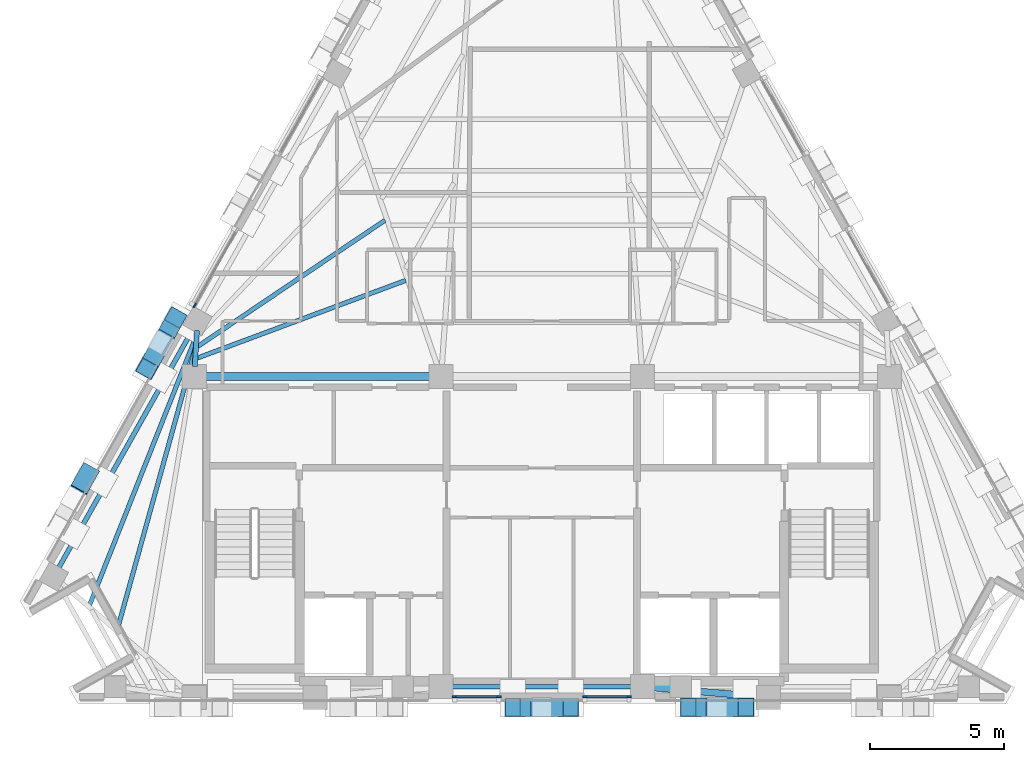
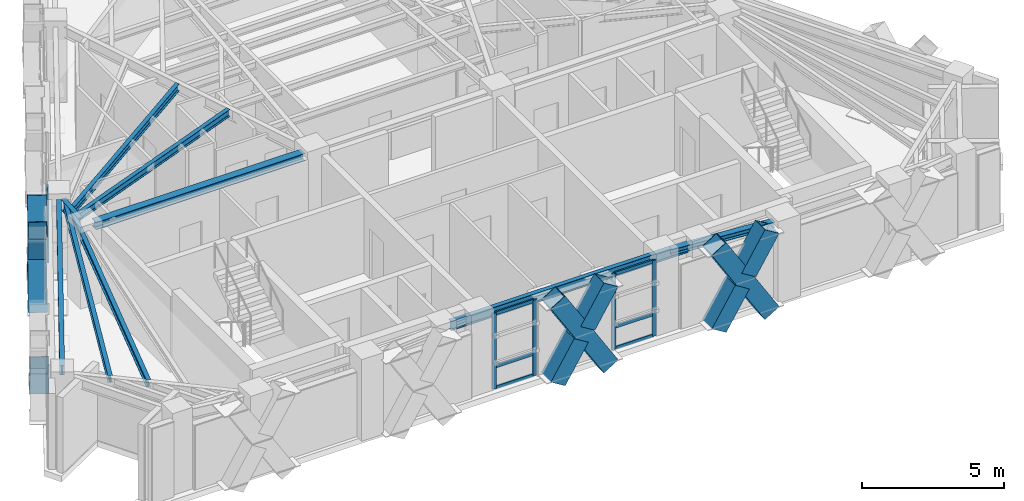
# One storey, part 2 of 11: 21 members, 9 beams, 3 elements without a shape of their own.
"""IFC4 building model written with IfcOpenShell, lengths in metres."""

from ifc_helpers import new_model, si_unit, direction, frame, origin, origin_2d, place, context, subcontext, project, spatial, rectangle, hollow_rectangle, i_section, extrude, material, material_profile, profile_set, type_object, element, aggregate, save


model = new_model("IFC4")

# Units and contexts
model_context = context("Model", 3, precision=1e-05, world=origin(), true_north=direction((0.0, 1.0)))
body_context = subcontext(model_context, "Body", "Model", "MODEL_VIEW")
ifc_project = project(units=[si_unit("LENGTHUNIT", "METRE"), si_unit("AREAUNIT", "SQUARE_METRE"), si_unit("VOLUMEUNIT", "CUBIC_METRE"), si_unit("PLANEANGLEUNIT", "RADIAN"), si_unit("MASSUNIT", "GRAM", prefix="KILO")], contexts=[model_context])

# Site, building, storey
site_placement = place(None, origin())
site = spatial("IfcSite", under=ifc_project, at=site_placement, CompositionType="ELEMENT")
building_placement = place(site_placement, origin())
building = spatial("IfcBuilding", under=site, at=building_placement, Name="Quenlor Broadcast Tower", CompositionType="ELEMENT")
storey_placement = place(building_placement, frame((0.0, 0.0, 242.89990234375)))
storey = spatial("IfcBuildingStorey", under=building, at=storey_placement, Name="L67", CompositionType="ELEMENT", Elevation=242.89990234375)

# Curtain wall, members
ifc_material_1 = material(Name="Architectural Terracotta and Low-E Glazing", Category="masonry")
curtain_wall_type = type_object("IfcCurtainWallType", Name="Unitised Terracotta Curtain Wall System Z5", PredefinedType="NOTDEFINED", material=ifc_material_1)
curtain_wall_1_placement = place(storey_placement, origin())
curtain_wall_1 = element("IfcCurtainWall", 1, at=curtain_wall_1_placement, inside=storey, type_object=curtain_wall_type, Name="L67 Curtain Wall CW5 (L67-S-G1)", PredefinedType="NOTDEFINED")
ifc_material_2 = material(Name="Aluminium 6063-T6", Category="aluminium")
ifc_material_profile_1 = material_profile(ifc_material_2, rectangle(XDim=0.06494140625, YDim=0.169921875, at=origin_2d()))
ifc_profile_set_1 = profile_set([ifc_material_profile_1], Name="Aluminium 6063-T6 MULL65x170")
member_type_1 = type_object("IfcMemberType", Name="CW5 Aluminium Mullion MULL_CW5", PredefinedType="MULLION", material=ifc_profile_set_1)
member_1_placement = place(storey_placement, frame((3.24755859375, -16.72509765625, 0.0), z_axis=(0.0, 0.0, 1.0), x_axis=(0.0, -1.0, 0.0)))
member_1 = element("IfcMember", 2, at=member_1_placement, type_object=member_type_1, Name="CW5 mullion 1", PredefinedType="MULLION", context=body_context, shape_type="SweptSolid", body=[
    extrude(rectangle(XDim=0.06494140625, YDim=0.169921875, at=origin_2d()), origin(), (0.0, 0.0, 1.0), 3.25),
])
member_2_placement = place(storey_placement, frame((1.60400390625, -16.72509765625, 0.0), z_axis=(0.0, 0.0, 1.0), x_axis=(0.0, -1.0, 0.0)))
member_2 = element("IfcMember", 3, at=member_2_placement, type_object=member_type_1, Name="CW5 mullion 2", PredefinedType="MULLION", context=body_context, shape_type="SweptSolid", body=[
    extrude(rectangle(XDim=0.06494140625, YDim=0.169921875, at=origin_2d()), origin(), (0.0, 0.0, 1.0), 3.25),
])

curtain_wall_2_placement = place(storey_placement, origin())
curtain_wall_2 = element("IfcCurtainWall", 4, at=curtain_wall_2_placement, inside=storey, type_object=curtain_wall_type, Name="L67 Curtain Wall CW5 (L67-S-G2)", PredefinedType="NOTDEFINED")
member_3_placement = place(storey_placement, frame((-1.60400390625, -16.72509765625, 0.0), z_axis=(0.0, 0.0, 1.0), x_axis=(0.0, -1.0, 0.0)))
member_3 = element("IfcMember", 5, at=member_3_placement, type_object=member_type_1, Name="CW5 mullion 1", PredefinedType="MULLION", context=body_context, shape_type="SweptSolid", body=[
    extrude(rectangle(XDim=0.06494140625, YDim=0.169921875, at=origin_2d()), origin(), (0.0, 0.0, 1.0), 3.25),
])
member_4_placement = place(storey_placement, frame((-3.24755859375, -16.72509765625, 0.0), z_axis=(0.0, 0.0, 1.0), x_axis=(0.0, -1.0, 0.0)))
member_4 = element("IfcMember", 6, at=member_4_placement, type_object=member_type_1, Name="CW5 mullion 2", PredefinedType="MULLION", context=body_context, shape_type="SweptSolid", body=[
    extrude(rectangle(XDim=0.06494140625, YDim=0.169921875, at=origin_2d()), origin(), (0.0, 0.0, 1.0), 3.25),
])

# Curtain wall, member
curtain_wall_3_placement = place(storey_placement, origin())
curtain_wall_3 = element("IfcCurtainWall", 7, at=curtain_wall_3_placement, inside=storey, type_object=curtain_wall_type, Name="L67 Curtain Wall CW5 (L67-NW-G1)", PredefinedType="NOTDEFINED")
member_5_placement = place(storey_placement, frame((-12.930419921875, -2.1484375, 0.0), z_axis=(0.0, 0.0, 1.0), x_axis=(-0.871574721405, 0.490262689797, 0.0)))
member_5 = element("IfcMember", 8, at=member_5_placement, type_object=member_type_1, Name="CW5 mullion 1", PredefinedType="MULLION", context=body_context, shape_type="SweptSolid", body=[
    extrude(rectangle(XDim=0.06494140625, YDim=0.169921875, at=origin_2d()), origin(), (0.0, 0.0, 1.0), 3.25),
])
aggregate(curtain_wall_3, [member_5])

# Member
ifc_material_3 = material(Name="Aluminium 6063-T6", Category="aluminium")
ifc_material_profile_2 = material_profile(ifc_material_3, rectangle(XDim=0.06494140625, YDim=0.139892578125, at=origin_2d()))
ifc_profile_set_2 = profile_set([ifc_material_profile_2], Name="Aluminium 6063-T6 TRAN65x140")
member_type_2 = type_object("IfcMemberType", Name="CW5 Aluminium Transom TRAN_CW5", PredefinedType="USERDEFINED", material=ifc_profile_set_2)
member_6_placement = place(storey_placement, frame((3.215087890625, -16.72509765625, 0.03271484375), z_axis=(-1.0, 0.0, 0.0), x_axis=(0.0, -1.0, 0.0)))
member_6 = element("IfcMember", 9, at=member_6_placement, type_object=member_type_2, Name="CW5 transom 1.1", ObjectType="TRANSOM", PredefinedType="USERDEFINED", context=body_context, shape_type="SweptSolid", body=[
    extrude(rectangle(XDim=0.06494140625, YDim=0.139892578125, at=origin_2d()), origin(), (0.0, 0.0, 1.0), 1.578369140625),
])

member_7_placement = place(storey_placement, frame((3.215087890625, -16.72509765625, 0.9501953125), z_axis=(-1.0, 0.0, 0.0), x_axis=(0.0, -1.0, 0.0)))
member_7 = element("IfcMember", 10, at=member_7_placement, type_object=member_type_2, Name="CW5 transom 1.2", ObjectType="TRANSOM", PredefinedType="USERDEFINED", context=body_context, shape_type="SweptSolid", body=[
    extrude(rectangle(XDim=0.06494140625, YDim=0.139892578125, at=origin_2d()), origin(), (0.0, 0.0, 1.0), 1.578369140625),
])

member_8_placement = place(storey_placement, frame((3.215087890625, -16.72509765625, 3.217529296875), z_axis=(-1.0, 0.0, 0.0), x_axis=(0.0, -1.0, 0.0)))
member_8 = element("IfcMember", 11, at=member_8_placement, type_object=member_type_2, Name="CW5 transom 1.3", ObjectType="TRANSOM", PredefinedType="USERDEFINED", context=body_context, shape_type="SweptSolid", body=[
    extrude(rectangle(XDim=0.06494140625, YDim=0.139892578125, at=origin_2d()), origin(), (0.0, 0.0, 1.0), 1.578369140625),
])

aggregate(curtain_wall_1, [member_1, member_2, member_6, member_7, member_8])

member_9_placement = place(storey_placement, frame((-1.63671875, -16.72509765625, 0.03271484375), z_axis=(-1.0, 0.0, 0.0), x_axis=(0.0, -1.0, 0.0)))
member_9 = element("IfcMember", 12, at=member_9_placement, type_object=member_type_2, Name="CW5 transom 1.1", ObjectType="TRANSOM", PredefinedType="USERDEFINED", context=body_context, shape_type="SweptSolid", body=[
    extrude(rectangle(XDim=0.06494140625, YDim=0.139892578125, at=origin_2d()), origin(), (0.0, 0.0, 1.0), 1.578369140625),
])

member_10_placement = place(storey_placement, frame((-1.63671875, -16.72509765625, 0.9501953125), z_axis=(-1.0, 0.0, 0.0), x_axis=(0.0, -1.0, 0.0)))
member_10 = element("IfcMember", 13, at=member_10_placement, type_object=member_type_2, Name="CW5 transom 1.2", ObjectType="TRANSOM", PredefinedType="USERDEFINED", context=body_context, shape_type="SweptSolid", body=[
    extrude(rectangle(XDim=0.06494140625, YDim=0.139892578125, at=origin_2d()), origin(), (0.0, 0.0, 1.0), 1.578369140625),
])

member_11_placement = place(storey_placement, frame((-1.63671875, -16.72509765625, 3.217529296875), z_axis=(-1.0, 0.0, 0.0), x_axis=(0.0, -1.0, 0.0)))
member_11 = element("IfcMember", 14, at=member_11_placement, type_object=member_type_2, Name="CW5 transom 1.3", ObjectType="TRANSOM", PredefinedType="USERDEFINED", context=body_context, shape_type="SweptSolid", body=[
    extrude(rectangle(XDim=0.06494140625, YDim=0.139892578125, at=origin_2d()), origin(), (0.0, 0.0, 1.0), 1.578369140625),
])

aggregate(curtain_wall_2, [member_3, member_4, member_9, member_10, member_11])

# Beams
ifc_material_4 = material(Name="Steel S355", Category="steel")
ifc_material_profile_3 = material_profile(ifc_material_4, i_section(OverallWidth=0.25390625, OverallDepth=0.25390625, WebThickness=0.008544921875, FlangeThickness=0.01416015625, FilletRadius=0.013916015625, at=origin_2d()))
ifc_profile_set_3 = profile_set([ifc_material_profile_3], Name="Steel S355 250UC72.9")
beam_type_1 = type_object("IfcBeamType", Name="Core Opening Lintel Beam Steel S355 250UC72.9", PredefinedType="LINTEL", material=ifc_profile_set_3)
beam_1_placement = place(storey_placement, frame((4.108642578125, -16.380615234375, 3.123291015625), z_axis=(0.996399763903, -0.084779186679, 0.0), x_axis=(0.084779186679, 0.996399763903, 0.0)))
element("IfcBeam", 15, at=beam_1_placement, inside=storey, type_object=beam_type_1, Name="L67 Core Opening Lintel Beam 5", PredefinedType="LINTEL", context=body_context, shape_type="SweptSolid", body=[
    extrude(i_section(OverallWidth=0.25390625, OverallDepth=0.25390625, WebThickness=0.008544921875, FlangeThickness=0.01416015625, FilletRadius=0.013916015625, at=origin_2d()), origin(), (0.0, 0.0, 1.0), 3.9970703125),
])
ifc_material_5 = material(Name="Steel S355", Category="steel")
ifc_material_profile_4 = material_profile(ifc_material_5, i_section(OverallWidth=0.306884765625, OverallDepth=0.314697265625, WebThickness=0.011962890625, FlangeThickness=0.018798828125, FilletRadius=0.0166015625, at=origin_2d()))
ifc_profile_set_4 = profile_set([ifc_material_profile_4], Name="Steel S355 310UC118")
beam_type_2 = type_object("IfcBeamType", Name="Core Tie Beam Steel S355 310UC118", PredefinedType="BEAM", material=ifc_profile_set_4)
beam_2_placement = place(storey_placement, frame((-12.590087890625, -4.800048828125, 3.0927734375), z_axis=(1.0, 0.0, 0.0), x_axis=(0.0, 1.0, 0.0)))
element("IfcBeam", 16, at=beam_2_placement, inside=storey, type_object=beam_type_2, Name="L67 Core Tie Beam 1", PredefinedType="BEAM", context=body_context, shape_type="SweptSolid", body=[
    extrude(i_section(OverallWidth=0.306884765625, OverallDepth=0.314697265625, WebThickness=0.011962890625, FlangeThickness=0.018798828125, FilletRadius=0.0166015625, at=origin_2d()), origin(), (0.0, 0.0, 1.0), 8.47998046875),
])

# Members
ifc_material_6 = material(Name="Steel S355", Category="steel")
ifc_material_profile_5 = material_profile(ifc_material_6, hollow_rectangle(XDim=0.679931640625, YDim=0.679931640625, WallThickness=0.02001953125, at=origin_2d()))
ifc_profile_set_5 = profile_set([ifc_material_profile_5], Name="Steel S355 RHS680x680x20")
member_type_3 = type_object("IfcMemberType", Name="Perimeter Diagonal Lattice Brace Z5-Crown Steel S355 RHS680x20", PredefinedType="BRACE", material=ifc_profile_set_5)
member_12_placement = place(storey_placement, frame((7.607666015625, -17.1201171875, -0.119873046875), z_axis=(-0.5236596973, 0.0, 0.851927532965), x_axis=(0.0, -1.0, 0.0)))
element("IfcMember", 17, at=member_12_placement, inside=storey, type_object=member_type_3, Name="L67 Perimeter Diamond Lattice S-C2XA", PredefinedType="BRACE", context=body_context, shape_type="SweptSolid", body=[
    extrude(hollow_rectangle(XDim=0.679931640625, YDim=0.679931640625, WallThickness=0.02001953125, at=origin_2d()), origin(), (0.0, 0.0, 1.0), 4.1083984375),
])
member_13_placement = place(storey_placement, frame((5.456298828125, -17.1201171875, -0.119873046875), z_axis=(0.523719849356, 0.0, 0.851890555993), x_axis=(0.0, 1.0, 0.0)))
element("IfcMember", 18, at=member_13_placement, inside=storey, type_object=member_type_3, Name="L67 Perimeter Diamond Lattice S-C2XB1", PredefinedType="BRACE", context=body_context, shape_type="SweptSolid", body=[
    extrude(hollow_rectangle(XDim=0.679931640625, YDim=0.679931640625, WallThickness=0.02001953125, at=origin_2d()), origin(), (0.0, 0.0, 1.0), 1.803955078125),
])
member_14_placement = place(storey_placement, frame((6.662841796875, -17.1201171875, 1.843017578125), z_axis=(0.523659478087, 0.0, 0.85192766771), x_axis=(0.0, 1.0, 0.0)))
element("IfcMember", 19, at=member_14_placement, inside=storey, type_object=member_type_3, Name="L67 Perimeter Diamond Lattice S-C2XB2", PredefinedType="BRACE", context=body_context, shape_type="SweptSolid", body=[
    extrude(hollow_rectangle(XDim=0.679931640625, YDim=0.679931640625, WallThickness=0.02001953125, at=origin_2d()), origin(), (0.0, 0.0, 1.0), 1.80419921875),
])
member_15_placement = place(storey_placement, frame((1.07568359375, -17.1201171875, -0.119873046875), z_axis=(-0.5236596973, 0.0, 0.851927532965), x_axis=(0.0, -1.0, 0.0)))
element("IfcMember", 20, at=member_15_placement, inside=storey, type_object=member_type_3, Name="L67 Perimeter Diamond Lattice S-C3XA", PredefinedType="BRACE", context=body_context, shape_type="SweptSolid", body=[
    extrude(hollow_rectangle(XDim=0.679931640625, YDim=0.679931640625, WallThickness=0.02001953125, at=origin_2d()), origin(), (0.0, 0.0, 1.0), 4.1083984375),
])
member_16_placement = place(storey_placement, frame((-1.07568359375, -17.1201171875, -0.119873046875), z_axis=(0.523719849356, 0.0, 0.851890555993), x_axis=(0.0, 1.0, 0.0)))
element("IfcMember", 21, at=member_16_placement, inside=storey, type_object=member_type_3, Name="L67 Perimeter Diamond Lattice S-C3XB1", PredefinedType="BRACE", context=body_context, shape_type="SweptSolid", body=[
    extrude(hollow_rectangle(XDim=0.679931640625, YDim=0.679931640625, WallThickness=0.02001953125, at=origin_2d()), origin(), (0.0, 0.0, 1.0), 1.803955078125),
])
member_17_placement = place(storey_placement, frame((0.130859375, -17.1201171875, 1.843017578125), z_axis=(0.523659478087, 0.0, 0.85192766771), x_axis=(0.0, 1.0, 0.0)))
element("IfcMember", 22, at=member_17_placement, inside=storey, type_object=member_type_3, Name="L67 Perimeter Diamond Lattice S-C3XB2", PredefinedType="BRACE", context=body_context, shape_type="SweptSolid", body=[
    extrude(hollow_rectangle(XDim=0.679931640625, YDim=0.679931640625, WallThickness=0.02001953125, at=origin_2d()), origin(), (0.0, 0.0, 1.0), 1.80419921875),
])
member_18_placement = place(storey_placement, frame((-16.905517578125, -8.40966796875, -0.119873046875), z_axis=(-0.26068648878, -0.463293264743, 0.846995811921), x_axis=(0.871507987664, -0.490381308207, 0.0)))
element("IfcMember", 23, at=member_18_placement, inside=storey, type_object=member_type_3, Name="L67 Perimeter Diamond Lattice NW-C1XB1", PredefinedType="BRACE", context=body_context, shape_type="SweptSolid", body=[
    extrude(hollow_rectangle(XDim=0.679931640625, YDim=0.679931640625, WallThickness=0.02001953125, at=origin_2d()), origin(), (0.0, 0.0, 1.0), 1.81591796875),
])
member_19_placement = place(storey_placement, frame((-14.712646484375, -4.510986328125, -0.119873046875), z_axis=(0.260563732169, 0.463283497491, 0.847038926161), x_axis=(-0.871602253711, 0.49021374045, 0.0)))
element("IfcMember", 24, at=member_19_placement, inside=storey, type_object=member_type_3, Name="L67 Perimeter Diamond Lattice NW-C2XA", PredefinedType="BRACE", context=body_context, shape_type="SweptSolid", body=[
    extrude(hollow_rectangle(XDim=0.679931640625, YDim=0.679931640625, WallThickness=0.02001953125, at=origin_2d()), origin(), (0.0, 0.0, 1.0), 4.132080078125),
])
for number, where, z_axis, x_axis, name in (
    (25, (-13.635986328125, -2.5966796875, -0.119873046875), (-0.260561174869, -0.463309498762, 0.847025491062), (0.871616063886, -0.490189185087, 0.0), "L67 Perimeter Diamond Lattice NW-C2XB1"),
    (26, (-14.239501953125, -3.669921875, 1.841796875), (-0.26054772884, -0.463151148531, 0.847116222611), (0.871555267041, -0.490297273593, 0.0), "L67 Perimeter Diamond Lattice NW-C2XB2"),
):
    element("IfcMember", number, at=place(storey_placement, frame(where, z_axis=z_axis, x_axis=x_axis)), inside=storey, type_object=member_type_3, Name=name, PredefinedType="BRACE", context=body_context, shape_type="SweptSolid", body=[
        extrude(hollow_rectangle(XDim=0.679931640625, YDim=0.679931640625, WallThickness=0.02001953125, at=origin_2d()), origin(), (0.0, 0.0, 1.0), 1.81591796875),
    ])

# Beams
ifc_material_7 = material(Name="Steel S355", Category="steel")
ifc_material_profile_6 = material_profile(ifc_material_7, i_section(OverallWidth=0.177978515625, OverallDepth=0.406494140625, WebThickness=0.0078125, FlangeThickness=0.0126953125, FilletRadius=0.011474609375, at=origin_2d()))
ifc_profile_set_6 = profile_set([ifc_material_profile_6], Name="Steel S355 410UB59.7")
beam_type_3 = type_object("IfcBeamType", Name="Perimeter Spandrel Beam Z5 Steel S355 410UB59.7", PredefinedType="SPANDREL", material=ifc_profile_set_6)
beam_3_placement = place(storey_placement, frame((-4.823974609375, -16.35009765625, 3.046875), z_axis=(1.0, 0.0, 0.0), x_axis=(0.0, 1.0, 0.0)))
element("IfcBeam", 27, at=beam_3_placement, inside=storey, type_object=beam_type_3, Name="L67 Spandrel Beam S2-S3", PredefinedType="SPANDREL", context=body_context, shape_type="SweptSolid", body=[
    extrude(i_section(OverallWidth=0.177978515625, OverallDepth=0.406494140625, WebThickness=0.0078125, FlangeThickness=0.0126953125, FilletRadius=0.011474609375, at=origin_2d()), origin(), (0.0, 0.0, 1.0), 9.64794921875),
])
beam_4_placement = place(storey_placement, frame((-13.001953125, -3.04052734375, 3.046875), z_axis=(-0.490274867878, -0.871567871096, 0.0), x_axis=(0.871567871096, -0.490274867878, 0.0)))
element("IfcBeam", 28, at=beam_4_placement, inside=storey, type_object=beam_type_3, Name="L67 Spandrel Beam NW3-NW4", PredefinedType="SPANDREL", context=body_context, shape_type="SweptSolid", body=[
    extrude(i_section(OverallWidth=0.177978515625, OverallDepth=0.406494140625, WebThickness=0.0078125, FlangeThickness=0.0126953125, FilletRadius=0.011474609375, at=origin_2d()), origin(), (0.0, 0.0, 1.0), 10.206298828125),
])
ifc_material_8 = material(Name="Steel S355", Category="steel")
ifc_material_profile_7 = material_profile(ifc_material_8, i_section(OverallWidth=0.166015625, OverallDepth=0.30712890625, WebThickness=0.006591796875, FlangeThickness=0.01171875, FilletRadius=0.011474609375, at=origin_2d()))
ifc_profile_set_7 = profile_set([ifc_material_profile_7], Name="Steel S355 310UB46.2")
beam_type_4 = type_object("IfcBeamType", Name="Tower Composite Joist Z4-Z5 Steel S355 310UB46.2", PredefinedType="JOIST", material=ifc_profile_set_7)
beam_5_placement = place(storey_placement, frame((-12.835205078125, -4.108642578125, 3.096435546875), z_axis=(0.937062080226, 0.349162795559, 0.0), x_axis=(-0.349162795559, 0.937062080226, 0.0)))
element("IfcBeam", 29, at=beam_5_placement, inside=storey, type_object=beam_type_4, Name="L67 Secondary Composite Joist 7", PredefinedType="JOIST", context=body_context, shape_type="SweptSolid", body=[
    extrude(i_section(OverallWidth=0.166015625, OverallDepth=0.30712890625, WebThickness=0.006591796875, FlangeThickness=0.01171875, FilletRadius=0.011474609375, at=origin_2d()), origin(), (0.0, 0.0, 1.0), 8.286376953125),
])
beam_6_placement = place(storey_placement, frame((-12.81884765625, -3.67724609375, 3.096435546875), z_axis=(0.829286301475, 0.558823970661, 0.0), x_axis=(-0.558823970661, 0.829286301475, 0.0)))
element("IfcBeam", 30, at=beam_6_placement, inside=storey, type_object=beam_type_4, Name="L67 Secondary Composite Joist 8", PredefinedType="JOIST", context=body_context, shape_type="SweptSolid", body=[
    extrude(i_section(OverallWidth=0.166015625, OverallDepth=0.30712890625, WebThickness=0.006591796875, FlangeThickness=0.01171875, FilletRadius=0.011474609375, at=origin_2d()), origin(), (0.0, 0.0, 1.0), 8.415771484375),
])
beam_7_placement = place(storey_placement, frame((-15.806396484375, -14.197998046875, 3.096435546875), z_axis=(0.26744552871, 0.96357298072, 0.0), x_axis=(-0.96357298072, 0.26744552871, 0.0)))
element("IfcBeam", 31, at=beam_7_placement, inside=storey, type_object=beam_type_4, Name="L67 Secondary Composite Joist 14", PredefinedType="JOIST", context=body_context, shape_type="SweptSolid", body=[
    extrude(i_section(OverallWidth=0.166015625, OverallDepth=0.30712890625, WebThickness=0.006591796875, FlangeThickness=0.01171875, FilletRadius=0.011474609375, at=origin_2d()), origin(), (0.0, 0.0, 1.0), 10.856689453125),
])
beam_8_placement = place(storey_placement, frame((-16.8447265625, -13.300537109375, 3.096435546875), z_axis=(0.368680258049, 0.929556274426, 0.0), x_axis=(-0.929556274426, 0.368680258049, 0.0)))
element("IfcBeam", 32, at=beam_8_placement, inside=storey, type_object=beam_type_4, Name="L67 Secondary Composite Joist 15", PredefinedType="JOIST", context=body_context, shape_type="SweptSolid", body=[
    extrude(i_section(OverallWidth=0.166015625, OverallDepth=0.30712890625, WebThickness=0.006591796875, FlangeThickness=0.01171875, FilletRadius=0.011474609375, at=origin_2d()), origin(), (0.0, 0.0, 1.0), 10.737548828125),
])
ifc_material_9 = material(Name="Steel S355", Category="steel")
ifc_material_profile_8 = material_profile(ifc_material_9, i_section(OverallWidth=0.19091796875, OverallDepth=0.46044921875, WebThickness=0.010009765625, FlangeThickness=0.01611328125, FilletRadius=0.011474609375, at=origin_2d()))
ifc_profile_set_8 = profile_set([ifc_material_profile_8], Name="Steel S355 460UB82.1")
beam_type_5 = type_object("IfcBeamType", Name="Tower Primary Floor Beam Z5 Steel S355 460UB82.1", PredefinedType="BEAM", material=ifc_profile_set_8)
beam_9_placement = place(storey_placement, frame((-12.84716796875, -3.086181640625, 3.02001953125), z_axis=(-0.059899569349, -0.998204408722, 0.0), x_axis=(0.998204408722, -0.059899569349, 0.0)))
element("IfcBeam", 33, at=beam_9_placement, inside=storey, type_object=beam_type_5, Name="L67 Primary Radial Beam NW3", PredefinedType="BEAM", context=body_context, shape_type="SweptSolid", body=[
    extrude(i_section(OverallWidth=0.19091796875, OverallDepth=0.46044921875, WebThickness=0.010009765625, FlangeThickness=0.01611328125, FilletRadius=0.011474609375, at=origin_2d()), origin(), (0.0, 0.0, 1.0), 1.3369140625),
])

save(model, "model.ifc")
